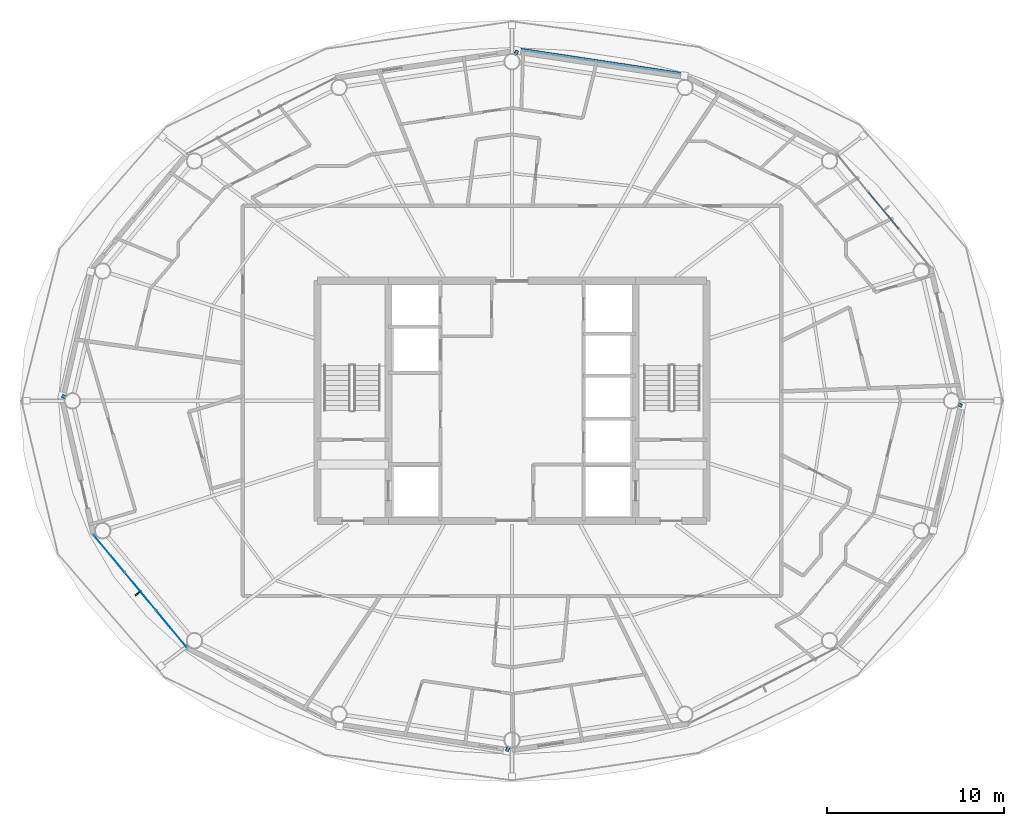
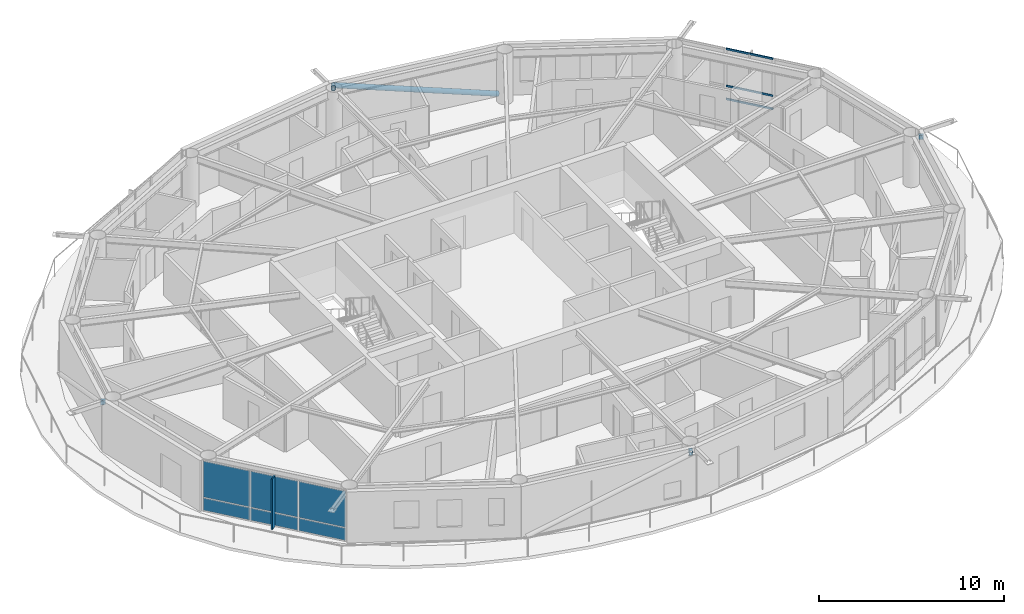
# One storey, part 12 of 23: 8 members, 7 plates, 2 elements without a shape of their own.
"""IFC4 building model written with IfcOpenShell, lengths in metres."""

from ifc_helpers import new_model, si_unit, direction, frame, origin, origin_2d, place, context, subcontext, project, spatial, rectangle, hollow_rectangle, hollow_circle, extrude, material, layer, layer_set, material_profile, profile_set, type_object, element, aggregate, save


model = new_model("IFC4")

# Units and contexts
model_context = context("Model", 3, precision=1e-05, world=origin(), true_north=direction((0.0, 1.0)))
body_context = subcontext(model_context, "Body", "Model", "MODEL_VIEW")
ifc_project = project(units=[si_unit("LENGTHUNIT", "METRE"), si_unit("AREAUNIT", "SQUARE_METRE"), si_unit("VOLUMEUNIT", "CUBIC_METRE"), si_unit("PLANEANGLEUNIT", "RADIAN"), si_unit("MASSUNIT", "GRAM", prefix="KILO")], contexts=[model_context])

# Site, building, storey
site_placement = place(None, origin())
site = spatial("IfcSite", under=ifc_project, at=site_placement, CompositionType="ELEMENT")
building_placement = place(site_placement, origin())
building = spatial("IfcBuilding", under=site, at=building_placement, Name="Sarneth Arch Tower", CompositionType="ELEMENT")
storey_placement = place(building_placement, frame((0.0, 0.0, 228.0)))
storey = spatial("IfcBuildingStorey", under=building, at=storey_placement, Name="L58", CompositionType="ELEMENT", Elevation=228.0)

# Curtain wall, members
ifc_material_1 = material(Name="Anodised aluminium Type AA25 and solar-control low-e laminated IGU", Category="aluminium")
ifc_layer_1 = layer(ifc_material_1, 0.179931640625)
ifc_layer_set_1 = layer_set([ifc_layer_1], Name="Anodised aluminium Type AA25 and solar-control low-e laminated IGU")
curtain_wall_type = type_object("IfcCurtainWallType", Name="CW-RES-HIGH", PredefinedType="NOTDEFINED", material=ifc_layer_set_1)
curtain_wall_1_placement = place(storey_placement, origin())
curtain_wall_1 = element("IfcCurtainWall", 1, at=curtain_wall_1_placement, inside=storey, type_object=curtain_wall_type, Name="L58 Unitised curtain wall facet 02", PredefinedType="NOTDEFINED")
ifc_material_2 = material(Name="Anodised Aluminium 6063-T6", Category="aluminium")
ifc_material_profile_1 = material_profile(ifc_material_2, hollow_rectangle(XDim=0.06005859375, YDim=0.1201171875, WallThickness=0.00390625, at=origin_2d()), Name="AL-TRAN-120x60x4")
ifc_profile_set_1 = profile_set([ifc_material_profile_1], Name="Anodised Aluminium 6063-T6")
member_type_1 = type_object("IfcMemberType", Name="CW-TRANSOM", PredefinedType="USERDEFINED", material=ifc_profile_set_1)
member_1_placement = place(storey_placement, frame((69.904296875, 51.731689453125, 0.030029296875), z_axis=(-0.637617371902, 0.770353222261, 0.0), x_axis=(-0.770353222261, -0.637617371902, 0.0)))
member_1 = element("IfcMember", 2, at=member_1_placement, type_object=member_type_1, Name="CW-SYS-6 transom 2.1", ObjectType="TRANSOM", PredefinedType="USERDEFINED", context=body_context, shape_type="SweptSolid", body=[
    extrude(hollow_rectangle(XDim=0.06005859375, YDim=0.1201171875, WallThickness=0.00390625, at=origin_2d()), origin(), (0.0, 0.0, 1.0), 2.716552734375),
])
member_2_placement = place(storey_placement, frame((69.904296875, 51.731689453125, 0.89990234375), z_axis=(-0.637617371902, 0.770353222261, 0.0), x_axis=(-0.770353222261, -0.637617371902, 0.0)))
member_2 = element("IfcMember", 3, at=member_2_placement, type_object=member_type_1, Name="CW-SYS-6 transom 2.2", ObjectType="TRANSOM", PredefinedType="USERDEFINED", context=body_context, shape_type="SweptSolid", body=[
    extrude(hollow_rectangle(XDim=0.06005859375, YDim=0.1201171875, WallThickness=0.00390625, at=origin_2d()), origin(), (0.0, 0.0, 1.0), 2.716552734375),
])
member_3_placement = place(storey_placement, frame((69.904296875, 51.731689453125, 3.330078125), z_axis=(-0.637617371902, 0.770353222261, 0.0), x_axis=(-0.770353222261, -0.637617371902, 0.0)))
member_3 = element("IfcMember", 4, at=member_3_placement, type_object=member_type_1, Name="CW-SYS-6 transom 2.3", ObjectType="TRANSOM", PredefinedType="USERDEFINED", context=body_context, shape_type="SweptSolid", body=[
    extrude(hollow_rectangle(XDim=0.06005859375, YDim=0.1201171875, WallThickness=0.00390625, at=origin_2d()), origin(), (0.0, 0.0, 1.0), 2.716552734375),
])
aggregate(curtain_wall_1, [member_1, member_2, member_3])

# Members
ifc_material_3 = material(Name="Steel S355", Category="steel")
ifc_material_profile_2 = material_profile(ifc_material_3, hollow_rectangle(XDim=0.199951171875, YDim=0.300048828125, WallThickness=0.012451171875, InnerFilletRadius=0.018798828125, OuterFilletRadius=0.03125, at=origin_2d()), Name="RHS300x200x12.5")
ifc_profile_set_2 = profile_set([ifc_material_profile_2], Name="Steel S355")
member_type_2 = type_object("IfcMemberType", Name="MEM-CANT-STRUT", PredefinedType="STRUT", material=ifc_profile_set_2)
member_4_placement = place(storey_placement, frame((48.17138671875, 61.56689453125, 3.03662109375), z_axis=(0.422659932572, 0.906288354443, 0.0), x_axis=(-0.906288354443, 0.422659932572, 0.0)))
element("IfcMember", 5, at=member_4_placement, inside=storey, type_object=member_type_2, Name="L58 Exoskeleton brace node strut 04B", PredefinedType="STRUT", context=body_context, shape_type="SweptSolid", body=[
    extrude(hollow_rectangle(XDim=0.199951171875, YDim=0.300048828125, WallThickness=0.012451171875, InnerFilletRadius=0.018798828125, OuterFilletRadius=0.03125, at=origin_2d()), origin(), (0.0, 0.0, 1.0), 0.29638671875),
])
member_5_placement = place(storey_placement, frame((22.75341796875, 42.178955078125, 3.03662109375), z_axis=(-0.897077765426, 0.441872699743, 0.0), x_axis=(-0.441872699743, -0.897077765426, 0.0)))
element("IfcMember", 6, at=member_5_placement, inside=storey, type_object=member_type_2, Name="L58 Exoskeleton brace node strut 08B", PredefinedType="STRUT", context=body_context, shape_type="SweptSolid", body=[
    extrude(hollow_rectangle(XDim=0.199951171875, YDim=0.300048828125, WallThickness=0.012451171875, InnerFilletRadius=0.018798828125, OuterFilletRadius=0.03125, at=origin_2d()), origin(), (0.0, 0.0, 1.0), 0.25634765625),
])
member_6_placement = place(storey_placement, frame((47.82861328125, 22.43310546875, 3.03662109375), z_axis=(-0.422659932572, -0.906288354443, 0.0), x_axis=(0.906288354443, -0.422659932572, 0.0)))
element("IfcMember", 7, at=member_6_placement, inside=storey, type_object=member_type_2, Name="L58 Exoskeleton brace node strut 12B", PredefinedType="STRUT", context=body_context, shape_type="SweptSolid", body=[
    extrude(hollow_rectangle(XDim=0.199951171875, YDim=0.300048828125, WallThickness=0.012451171875, InnerFilletRadius=0.018798828125, OuterFilletRadius=0.03125, at=origin_2d()), origin(), (0.0, 0.0, 1.0), 0.29638671875),
])
member_7_placement = place(storey_placement, frame((73.24658203125, 41.821044921875, 3.03662109375), z_axis=(0.897077765426, -0.441872699743, 0.0), x_axis=(0.441872699743, 0.897077765426, 0.0)))
element("IfcMember", 8, at=member_7_placement, inside=storey, type_object=member_type_2, Name="L58 Exoskeleton brace node strut 16B", PredefinedType="STRUT", context=body_context, shape_type="SweptSolid", body=[
    extrude(hollow_rectangle(XDim=0.199951171875, YDim=0.300048828125, WallThickness=0.012451171875, InnerFilletRadius=0.018798828125, OuterFilletRadius=0.03125, at=origin_2d()), origin(), (0.0, 0.0, 1.0), 0.25634765625),
])
ifc_material_4 = material(Name="Steel S355", Category="steel")
ifc_material_profile_3 = material_profile(ifc_material_4, hollow_circle(Radius=0.162109375, WallThickness=0.012451171875, at=origin_2d()), Name="CHS324x12.5")
ifc_profile_set_3 = profile_set([ifc_material_profile_3], Name="Steel S355")
member_type_3 = type_object("IfcMemberType", Name="MEM-DIAG-BR3", PredefinedType="BRACE", material=ifc_profile_set_3)
member_8_placement = place(storey_placement, frame((57.754150390625, 60.411376953125, 0.02001953125), z_axis=(-0.943056107878, 0.142001297879, 0.300800280576), x_axis=(-0.148897148305, -0.988852688335, 0.0)))
element("IfcMember", 9, at=member_8_placement, inside=storey, type_object=member_type_3, Name="L58 Perimeter frame diagonal 04", PredefinedType="BRACE", context=body_context, shape_type="SweptSolid", body=[
    extrude(hollow_circle(Radius=0.162109375, WallThickness=0.012451171875, at=origin_2d()), origin(), (0.0, 0.0, 1.0), 10.028564453125),
])

# Curtain wall, plates
curtain_wall_2_placement = place(storey_placement, origin())
curtain_wall_2 = element("IfcCurtainWall", 10, at=curtain_wall_2_placement, inside=storey, type_object=curtain_wall_type, Name="L58 Unitised curtain wall facet 10", PredefinedType="NOTDEFINED")
ifc_material_5 = material(Name="Solar-control low-e laminated IGU", Category="glass")
ifc_layer_2 = layer(ifc_material_5, 0.028076171875)
ifc_layer_set_2 = layer_set([ifc_layer_2], Name="Solar-control low-e laminated IGU")
plate_type_1 = type_object("IfcPlateType", Name="CW-PANEL", PredefinedType="CURTAIN_PANEL", material=ifc_layer_set_2)
plate_1_placement = place(storey_placement, frame((25.200927734375, 33.349365234375, 0.06005859375), z_axis=(0.0, 0.0, 1.0), x_axis=(0.637610094184, -0.770359245933, 0.0)))
plate_1 = element("IfcPlate", 11, at=plate_1_placement, type_object=plate_type_1, Name="Curtain wall glazed vision pane CW-L58-F10/P00-00", PredefinedType="CURTAIN_PANEL", context=body_context, shape_type="SweptSolid", body=[
    extrude(rectangle(XDim=2.686767578125, YDim=0.028076171875, at=origin_2d()), origin(), (0.0, 0.0, 1.0), 0.81005859375),
])
plate_2_placement = place(storey_placement, frame((25.200927734375, 33.349365234375, 0.929931640625), z_axis=(0.0, 0.0, 1.0), x_axis=(0.637610094184, -0.770359245933, 0.0)))
plate_2 = element("IfcPlate", 12, at=plate_2_placement, type_object=plate_type_1, Name="Curtain wall glazed vision pane CW-L58-F10/P00-01", PredefinedType="CURTAIN_PANEL", context=body_context, shape_type="SweptSolid", body=[
    extrude(rectangle(XDim=2.686767578125, YDim=0.028076171875, at=origin_2d()), origin(), (0.0, 0.0, 1.0), 2.3701171875),
])
plate_3_placement = place(storey_placement, frame((26.9619140625, 31.221923828125, 0.06005859375), z_axis=(0.0, 0.0, 1.0), x_axis=(0.637610094184, -0.770359245933, 0.0)))
plate_3 = element("IfcPlate", 13, at=plate_3_placement, type_object=plate_type_1, Name="Curtain wall glazed vision pane CW-L58-F10/P01-00", PredefinedType="CURTAIN_PANEL", context=body_context, shape_type="SweptSolid", body=[
    extrude(rectangle(XDim=2.716552734375, YDim=0.028076171875, at=origin_2d()), origin(), (0.0, 0.0, 1.0), 0.81005859375),
])
plate_4_placement = place(storey_placement, frame((26.9619140625, 31.221923828125, 0.929931640625), z_axis=(0.0, 0.0, 1.0), x_axis=(0.637610094184, -0.770359245933, 0.0)))
plate_4 = element("IfcPlate", 14, at=plate_4_placement, type_object=plate_type_1, Name="Curtain wall glazed vision pane CW-L58-F10/P01-01", PredefinedType="CURTAIN_PANEL", context=body_context, shape_type="SweptSolid", body=[
    extrude(rectangle(XDim=2.716552734375, YDim=0.028076171875, at=origin_2d()), origin(), (0.0, 0.0, 1.0), 2.3701171875),
])
plate_5_placement = place(storey_placement, frame((28.72265625, 29.094482421875, 0.06005859375), z_axis=(0.0, 0.0, 1.0), x_axis=(0.637610094184, -0.770359245933, 0.0)))
plate_5 = element("IfcPlate", 15, at=plate_5_placement, type_object=plate_type_1, Name="Curtain wall glazed vision pane CW-L58-F10/P02-00", PredefinedType="CURTAIN_PANEL", context=body_context, shape_type="SweptSolid", body=[
    extrude(rectangle(XDim=2.686767578125, YDim=0.028076171875, at=origin_2d()), origin(), (0.0, 0.0, 1.0), 0.81005859375),
])
plate_6_placement = place(storey_placement, frame((28.72265625, 29.094482421875, 0.929931640625), z_axis=(0.0, 0.0, 1.0), x_axis=(0.637610094184, -0.770359245933, 0.0)))
plate_6 = element("IfcPlate", 16, at=plate_6_placement, type_object=plate_type_1, Name="Curtain wall glazed vision pane CW-L58-F10/P02-01", PredefinedType="CURTAIN_PANEL", context=body_context, shape_type="SweptSolid", body=[
    extrude(rectangle(XDim=2.686767578125, YDim=0.028076171875, at=origin_2d()), origin(), (0.0, 0.0, 1.0), 2.3701171875),
])
aggregate(curtain_wall_2, [plate_1, plate_2, plate_3, plate_4, plate_5, plate_6])

# Plate
ifc_material_6 = material(Name="Extruded glazed terracotta baguette fin on Aluminium 6063-T6 carrier", Category="masonry")
ifc_layer_3 = layer(ifc_material_6, 0.080078125)
ifc_layer_set_3 = layer_set([ifc_layer_3], Name="Extruded glazed terracotta baguette fin on Aluminium 6063-T6 carrier")
plate_type_2 = type_object("IfcPlateType", Name="SHADE-TERRA-FIN", PredefinedType="SHEET", material=ifc_layer_set_3)
plate_7_placement = place(storey_placement, frame((26.830810546875, 31.113525390625, 0.009765625), z_axis=(0.0, 0.0, 1.0), x_axis=(-0.770401979567, -0.63755845997, 0.0)))
element("IfcPlate", 17, at=plate_7_placement, inside=storey, type_object=plate_type_2, Name="L58 Terracotta vertical shading fin 10", PredefinedType="SHEET", context=body_context, shape_type="SweptSolid", body=[
    extrude(rectangle(XDim=0.419921875, YDim=0.080078125, at=origin_2d()), origin(), (0.0, 0.0, 1.0), 3.340087890625),
])

save(model, "model.ifc")
